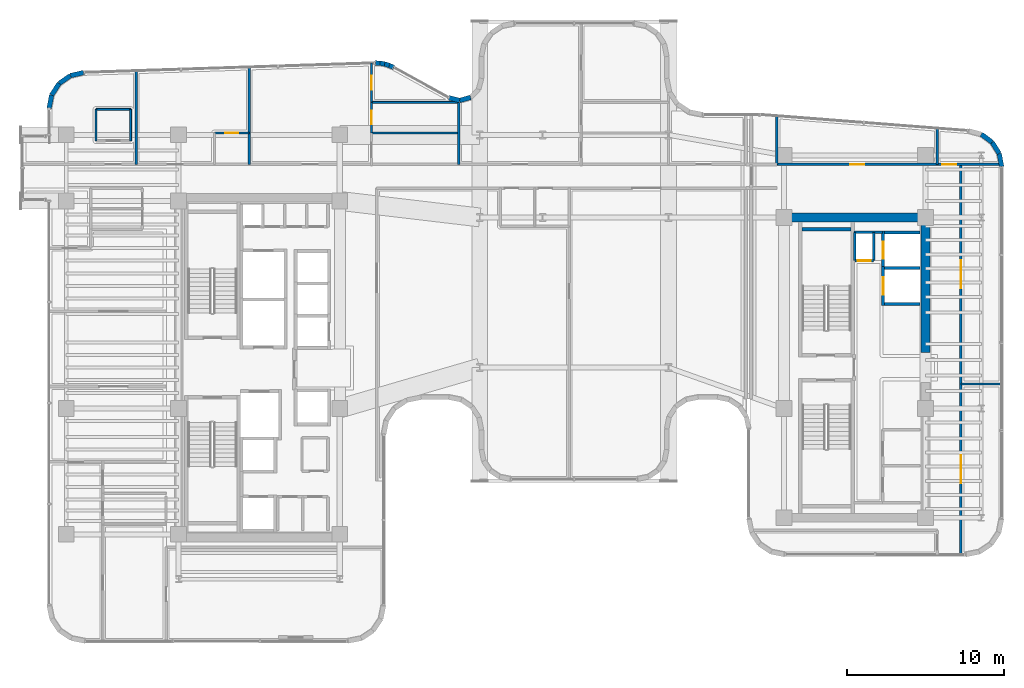
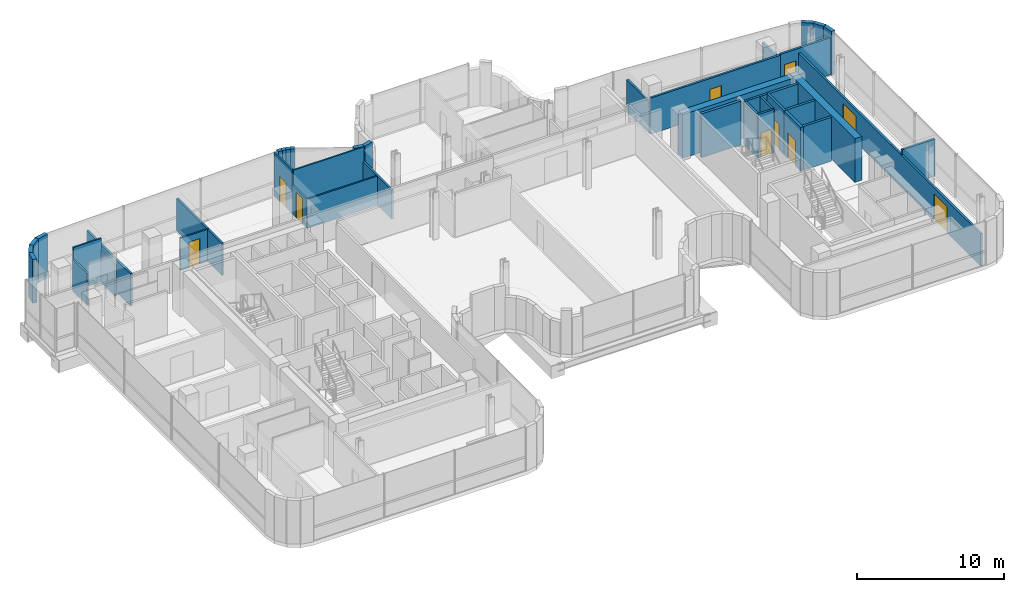
# One storey, part 31 of 39: 42 walls, 10 doors, 10 openings.
"""IFC4 building model written with IfcOpenShell, lengths in metres."""

from ifc_helpers import new_model, si_unit, direction, frame, frame_2d, origin, place, context, subcontext, project, spatial, rectangle, extrude, material, layer, layer_set, type_object, element, fill, save


model = new_model("IFC4")

# Units and contexts
model_context = context("Model", 3, precision=1e-05, world=origin(), true_north=direction((0.0, 1.0)))
body_context = subcontext(model_context, "Body", "Model", "MODEL_VIEW")
ifc_project = project(units=[si_unit("LENGTHUNIT", "METRE"), si_unit("AREAUNIT", "SQUARE_METRE"), si_unit("VOLUMEUNIT", "CUBIC_METRE"), si_unit("PLANEANGLEUNIT", "RADIAN"), si_unit("MASSUNIT", "GRAM", prefix="KILO")], contexts=[model_context])

# Site, building, storey
site_placement = place(None, origin())
site = spatial("IfcSite", under=ifc_project, at=site_placement, CompositionType="ELEMENT")
building_placement = place(site_placement, origin())
building = spatial("IfcBuilding", under=site, at=building_placement, Name="Valdorenza Pilgrim Sanctuary Tower", CompositionType="ELEMENT")
storey_placement = place(building_placement, frame((0.0, 0.0, 184.449951171875)))
storey = spatial("IfcBuildingStorey", under=building, at=storey_placement, Name="L47", CompositionType="ELEMENT", Elevation=184.449951171875)

# Wall, opening, door
ifc_material_1 = material(Name="Acoustic twin-stud gypsum partition", Category="gypsum")
ifc_layer_1 = layer(ifc_material_1, 0.159912109375, Name="Acoustic twin-stud gypsum partition")
ifc_layer_set_1 = layer_set([ifc_layer_1], Name="Acoustic twin-stud gypsum partition")
wall_type_1 = type_object("IfcWallType", Name="WAL-COR-160", PredefinedType="PARTITIONING", material=ifc_layer_set_1)
wall_1_placement = place(storey_placement, frame((20.35009765625, 6.800048828125, 0.0), z_axis=(0.0, 0.0, 1.0), x_axis=(1.0, 0.0, 0.0)))
wall_1 = element("IfcWall", 1, at=wall_1_placement, inside=storey, type_object=wall_type_1, Name="L47 Core B Riser South Wall", PredefinedType="PARTITIONING", context=body_context, shape_type="SweptSolid", body=[
    extrude(rectangle(XDim=1.199951171875, YDim=0.159912109375, at=frame_2d((0.60009765625, 0.0))), origin(), (0.0, 0.0, 1.0), 3.630126953125),
])
opening_1_placement = place(wall_1_placement, frame((0.175048828125, 0.0, 0.0)))
opening_1 = element("IfcOpeningElement", 2, at=opening_1_placement, cuts=wall_1, Name="Opening DR-RS1", PredefinedType="OPENING", context=body_context, shape_type="SweptSolid", body=[
    extrude(rectangle(XDim=0.85009765625, YDim=2.050048828125, at=frame_2d((0.425048828125, 1.02490234375))), frame((0.0, 0.0947265625, 0.0), z_axis=(0.0, -1.0, 0.0), x_axis=(1.0, 0.0, 0.0)), (0.0, 0.0, 1.0), 0.189697265625),
])
ifc_material_2 = material(Name="Painted galvanized steel", Category="steel")
door_type_1 = type_object("IfcDoorType", Name="DR-RSR-850", OperationType="NOTDEFINED", PredefinedType="DOOR", material=ifc_material_2)
door_1_placement = place(opening_1_placement, origin())
door_1 = element("IfcDoor", 3, at=door_1_placement, inside=storey, type_object=door_type_1, Name="L47 Core B Electrical Riser Door", OperationType="SINGLE_SWING_LEFT", OverallHeight=2.050048828125, OverallWidth=0.85009765625, PredefinedType="DOOR", context=body_context, shape_type="SweptSolid", body=[
    extrude(rectangle(XDim=0.85009765625, YDim=2.050048828125, at=frame_2d((0.425048828125, 1.02490234375))), frame((0.0, 0.02490234375, 0.0), z_axis=(0.0, -1.0, 0.0), x_axis=(1.0, 0.0, 0.0)), (0.0, 0.0, 1.0), 0.050048828125),
])
fill(opening_1, door_1)

# Walls
for number, where, z_axis, x_axis, name in (
    (4, (21.550048828125, 6.800048828125, 0.0), (0.0, 0.0, 1.0), (0.0, 1.0, 0.0), "L47 Core B Riser East Wall"),
    (5, (20.35009765625, 6.800048828125, 0.0), (0.0, 0.0, 1.0), (0.0, 1.0, 0.0), "L47 Core B Riser West Wall"),
):
    element("IfcWall", number, at=place(storey_placement, frame(where, z_axis=z_axis, x_axis=x_axis)), inside=storey, type_object=wall_type_1, Name=name, PredefinedType="PARTITIONING", context=body_context, shape_type="SweptSolid", body=[
        extrude(rectangle(XDim=1.800048828125, YDim=0.159912109375, at=frame_2d((0.89990234375, 0.0))), origin(), (0.0, 0.0, 1.0), 3.630126953125),
    ])
wall_2_placement = place(storey_placement, frame((20.300048828125, 8.60009765625, 0.0), z_axis=(0.0, 0.0, 1.0), x_axis=(1.0, 0.0, 0.0)))
element("IfcWall", 6, at=wall_2_placement, inside=storey, type_object=wall_type_1, Name="L47 Core B Lift Hall North End Wall", PredefinedType="PARTITIONING", context=body_context, shape_type="SweptSolid", body=[
    extrude(rectangle(XDim=1.820068359375, YDim=0.159912109375, at=frame_2d((0.91015625, 0.0))), origin(), (0.0, 0.0, 1.0), 3.630126953125),
])

# Wall, opening, door
wall_3_placement = place(storey_placement, frame((15.39990234375, 12.919921875, 0.0), z_axis=(0.0, 0.0, 1.0), x_axis=(1.0, 0.0, 0.0)))
wall_3 = element("IfcWall", 7, at=wall_3_placement, inside=storey, type_object=wall_type_1, Name="L47 Wing B North Corridor Wall", PredefinedType="PARTITIONING", context=body_context, shape_type="SweptSolid", body=[
    extrude(rectangle(XDim=10.2001953125, YDim=0.159912109375, at=frame_2d((5.10009765625, 0.0))), origin(), (0.0, 0.0, 1.0), 3.004150390625),
])
opening_2_placement = place(wall_3_placement, frame((4.64990234375, 0.0, 0.0)))
opening_2 = element("IfcOpeningElement", 8, at=opening_2_placement, cuts=wall_3, Name="Opening DR-RM1", PredefinedType="OPENING", context=body_context, shape_type="SweptSolid", body=[
    extrude(rectangle(XDim=0.89990234375, YDim=2.10009765625, at=frame_2d((0.449951171875, 1.050048828125))), frame((0.0, 0.0947265625, 0.0), z_axis=(0.0, -1.0, 0.0), x_axis=(1.0, 0.0, 0.0)), (0.0, 0.0, 1.0), 0.189697265625),
])
ifc_material_3 = material(Name="Solid-core European oak timber", Category="wood")
door_type_2 = type_object("IfcDoorType", Name="DR-ROOM-900", OperationType="NOTDEFINED", PredefinedType="DOOR", material=ifc_material_3)
door_2_placement = place(opening_2_placement, origin())
door_2 = element("IfcDoor", 9, at=door_2_placement, inside=storey, type_object=door_type_2, Name="L47 Curator Research Office L47-BN1 Door", OperationType="SINGLE_SWING_RIGHT", OverallHeight=2.10009765625, OverallWidth=0.89990234375, PredefinedType="DOOR", context=body_context, shape_type="SweptSolid", body=[
    extrude(rectangle(XDim=0.89990234375, YDim=2.10009765625, at=frame_2d((0.449951171875, 1.050048828125))), frame((0.0, 0.02490234375, 0.0), z_axis=(0.0, -1.0, 0.0), x_axis=(1.0, 0.0, 0.0)), (0.0, 0.0, 1.0), 0.050048828125),
])
fill(opening_2, door_2)

# Walls
wall_4_placement = place(storey_placement, frame((15.39990234375, 12.919921875, 0.0), z_axis=(0.0, 0.0, 1.0), x_axis=(0.0, 1.0, 0.0)))
element("IfcWall", 10, at=wall_4_placement, inside=storey, type_object=wall_type_1, Name="L47 Wing B North West Wall", PredefinedType="PARTITIONING", context=body_context, shape_type="SweptSolid", body=[
    extrude(rectangle(XDim=3.08447265625, YDim=0.159912109375, at=frame_2d((1.542236328125, 0.0))), origin(), (0.0, 0.0, 1.0), 2.6650390625),
])
wall_5_placement = place(storey_placement, frame((25.60009765625, 12.919921875, 0.0), z_axis=(0.0, 0.0, 1.0), x_axis=(0.0, 1.0, 0.0)))
element("IfcWall", 11, at=wall_5_placement, inside=storey, type_object=wall_type_1, Name="L47 Wing B North East Wall", PredefinedType="PARTITIONING", context=body_context, shape_type="SweptSolid", body=[
    extrude(rectangle(XDim=2.294921875, YDim=0.159912109375, at=frame_2d((1.1474609375, 0.0))), origin(), (0.0, 0.0, 1.0), 2.6650390625),
])

# Wall, openings, doors
wall_6_placement = place(storey_placement, frame((27.10009765625, -11.889892578125, 0.0), z_axis=(0.0, 0.0, 1.0), x_axis=(0.0, 1.0, 0.0)))
wall_6 = element("IfcWall", 12, at=wall_6_placement, inside=storey, type_object=wall_type_1, Name="L47 Wing B East Corridor Wall", PredefinedType="PARTITIONING", context=body_context, shape_type="SweptSolid", body=[
    extrude(rectangle(XDim=24.809814453125, YDim=0.159912109375, at=frame_2d((12.40478515625, 0.0))), origin(), (0.0, 0.0, 1.0), 2.6650390625),
])
opening_3_placement = place(wall_6_placement, frame((4.52490234375, 0.0, 0.0)))
opening_3 = element("IfcOpeningElement", 13, at=opening_3_placement, cuts=wall_6, Name="Opening DR-HL1", PredefinedType="OPENING", context=body_context, shape_type="SweptSolid", body=[
    extrude(rectangle(XDim=1.800048828125, YDim=2.14990234375, at=frame_2d((0.89990234375, 1.074951171875))), frame((0.0, 0.0947265625, 0.0), z_axis=(0.0, -1.0, 0.0), x_axis=(1.0, 0.0, 0.0)), (0.0, 0.0, 1.0), 0.189697265625),
])
opening_4_placement = place(wall_6_placement, frame((16.929931640625, 0.0, 0.0)))
opening_4 = element("IfcOpeningElement", 14, at=opening_4_placement, cuts=wall_6, Name="Opening DR-HL1", PredefinedType="OPENING", context=body_context, shape_type="SweptSolid", body=[
    extrude(rectangle(XDim=1.800048828125, YDim=2.14990234375, at=frame_2d((0.89990234375, 1.074951171875))), frame((0.0, 0.0947265625, 0.0), z_axis=(0.0, -1.0, 0.0), x_axis=(1.0, 0.0, 0.0)), (0.0, 0.0, 1.0), 0.189697265625),
])
ifc_material_4 = material(Name="Acoustic oak and vision-glass double door", Category="glass")
door_type_3 = type_object("IfcDoorType", Name="DR-HALL-1800", OperationType="NOTDEFINED", PredefinedType="DOOR", material=ifc_material_4)
door_3_placement = place(opening_3_placement, frame((1.800048828125, 0.0, 0.0), z_axis=(0.0, 0.0, 1.0), x_axis=(-1.0, 0.0, 0.0)))
door_3 = element("IfcDoor", 15, at=door_3_placement, inside=storey, type_object=door_type_3, Name="L47 East Reading Lounge L47-EB1 Door", OperationType="DOUBLE_DOOR_SINGLE_SWING", OverallHeight=2.14990234375, OverallWidth=1.800048828125, PredefinedType="DOOR", context=body_context, shape_type="SweptSolid", body=[
    extrude(rectangle(XDim=1.800048828125, YDim=2.14990234375, at=frame_2d((0.89990234375, 1.074951171875))), frame((0.0, 0.02490234375, 0.0), z_axis=(0.0, -1.0, 0.0), x_axis=(1.0, 0.0, 0.0)), (0.0, 0.0, 1.0), 0.050048828125),
])
fill(opening_3, door_3)
door_4_placement = place(opening_4_placement, origin())
door_4 = element("IfcDoor", 16, at=door_4_placement, inside=storey, type_object=door_type_3, Name="L47 East Reading Lounge L47-EB2 Door", OperationType="DOUBLE_DOOR_SINGLE_SWING", OverallHeight=2.14990234375, OverallWidth=1.800048828125, PredefinedType="DOOR", context=body_context, shape_type="SweptSolid", body=[
    extrude(rectangle(XDim=1.800048828125, YDim=2.14990234375, at=frame_2d((0.89990234375, 1.074951171875))), frame((0.0, 0.02490234375, 0.0), z_axis=(0.0, -1.0, 0.0), x_axis=(1.0, 0.0, 0.0)), (0.0, 0.0, 1.0), 0.050048828125),
])
fill(opening_4, door_4)

# Wall, opening, door
wall_7_placement = place(storey_placement, frame((25.60009765625, 12.919921875, 0.0), z_axis=(0.0, 0.0, 1.0), x_axis=(1.0, 0.0, 0.0)))
wall_7 = element("IfcWall", 17, at=wall_7_placement, inside=storey, type_object=wall_type_1, Name="L47 East Wing NE Corner South Wall", PredefinedType="PARTITIONING", context=body_context, shape_type="SweptSolid", body=[
    extrude(rectangle(XDim=3.93408203125, YDim=0.159912109375, at=frame_2d((1.967041015625, 0.0))), origin(), (0.0, 0.0, 1.0), 3.075927734375),
])
opening_5_placement = place(wall_7_placement, frame((0.300048828125, 0.0, 0.0)))
opening_5 = element("IfcOpeningElement", 18, at=opening_5_placement, cuts=wall_7, Name="Opening DR-RM1", PredefinedType="OPENING", context=body_context, shape_type="SweptSolid", body=[
    extrude(rectangle(XDim=0.89990234375, YDim=2.10009765625, at=frame_2d((0.449951171875, 1.050048828125))), frame((0.0, 0.0947265625, 0.0), z_axis=(0.0, -1.0, 0.0), x_axis=(1.0, 0.0, 0.0)), (0.0, 0.0, 1.0), 0.189697265625),
])
door_5_placement = place(opening_5_placement, origin())
door_5 = element("IfcDoor", 19, at=door_5_placement, inside=storey, type_object=door_type_2, Name="L47 East North Alcove Office L47 Door", OperationType="SINGLE_SWING_RIGHT", OverallHeight=2.10009765625, OverallWidth=0.89990234375, PredefinedType="DOOR", context=body_context, shape_type="SweptSolid", body=[
    extrude(rectangle(XDim=0.89990234375, YDim=2.10009765625, at=frame_2d((0.449951171875, 1.050048828125))), frame((0.0, 0.02490234375, 0.0), z_axis=(0.0, -1.0, 0.0), x_axis=(1.0, 0.0, 0.0)), (0.0, 0.0, 1.0), 0.050048828125),
])
fill(opening_5, door_5)

# Walls
ifc_material_5 = material(Name="Concrete C50/60", Category="concrete")
ifc_layer_2 = layer(ifc_material_5, 0.550048828125, Name="Concrete C50/60")
ifc_layer_set_2 = layer_set([ifc_layer_2], Name="Concrete C50/60")
wall_type_2 = type_object("IfcWallType", Name="WAL-COR-550", PredefinedType="SHEAR", material=ifc_layer_set_2)
wall_8_placement = place(storey_placement, frame((24.85009765625, 0.949951171875, 0.0), z_axis=(0.0, 0.0, 1.0), x_axis=(0.0, 1.0, 0.0)))
element("IfcWall", 20, at=wall_8_placement, inside=storey, type_object=wall_type_2, Name="L47 Split Core B Shear Wall EN", PredefinedType="SHEAR", context=body_context, shape_type="SweptSolid", body=[
    extrude(rectangle(XDim=8.875, YDim=0.550048828125, at=frame_2d((4.4375, 0.0))), origin(), (0.0, 0.0, 1.0), 3.630126953125),
])
wall_9_placement = place(storey_placement, frame((15.85009765625, 9.550048828125, 0.0), z_axis=(0.0, 0.0, 1.0), x_axis=(1.0, 0.0, 0.0)))
element("IfcWall", 21, at=wall_9_placement, inside=storey, type_object=wall_type_2, Name="L47 Split Core B Shear Wall N", PredefinedType="SHEAR", context=body_context, shape_type="SweptSolid", body=[
    extrude(rectangle(XDim=9.0, YDim=0.550048828125, at=frame_2d((4.5, 0.0))), origin(), (0.0, 0.0, 1.0), 3.630126953125),
])
ifc_material_6 = material(Name="Honed travertine limestone", Category="masonry")
ifc_layer_3 = layer(ifc_material_6, 0.300048828125, Name="Honed travertine limestone")
ifc_layer_set_3 = layer_set([ifc_layer_3], Name="Honed travertine limestone")
wall_type_3 = type_object("IfcWallType", Name="WAL-EXT-300", PredefinedType="SOLIDWALL", material=ifc_layer_set_3)
wall_10_placement = place(storey_placement, frame((-30.889892578125, 16.46630859375, 0.0), z_axis=(0.0, 0.0, 1.0), x_axis=(0.191128020887, 0.981565117367, 0.0)))
element("IfcWall", 22, at=wall_10_placement, inside=storey, type_object=wall_type_3, Name="L47 Rounded Wind-Corner Stone Pier 2", PredefinedType="SOLIDWALL", context=body_context, shape_type="SweptSolid", body=[
    extrude(rectangle(XDim=0.88525390625, YDim=0.300048828125, at=frame_2d((0.442626953125, 0.0))), origin(), (0.0, 0.0, 1.0), 3.630126953125),
])
wall_11_placement = place(storey_placement, frame((-30.720703125, 17.335205078125, 0.0), z_axis=(0.0, 0.0, 1.0), x_axis=(0.545322000684, 0.838226649284, 0.0)))
element("IfcWall", 23, at=wall_11_placement, inside=storey, type_object=wall_type_3, Name="L47 Rounded Wind-Corner Stone Pier 3", PredefinedType="SOLIDWALL", context=body_context, shape_type="SweptSolid", body=[
    extrude(rectangle(XDim=0.874267578125, YDim=0.300048828125, at=frame_2d((0.43701171875, 0.0))), origin(), (0.0, 0.0, 1.0), 3.630126953125),
])
wall_12_placement = place(storey_placement, frame((-30.243896484375, 18.068115234375, 0.0), z_axis=(0.0, 0.0, 1.0), x_axis=(0.820005059444, 0.572356272339, 0.0)))
element("IfcWall", 24, at=wall_12_placement, inside=storey, type_object=wall_type_3, Name="L47 Rounded Wind-Corner Stone Pier 4", PredefinedType="SOLIDWALL", context=body_context, shape_type="SweptSolid", body=[
    extrude(rectangle(XDim=0.87451171875, YDim=0.300048828125, at=frame_2d((0.437255859375, 0.0))), origin(), (0.0, 0.0, 1.0), 3.630126953125),
])
wall_13_placement = place(storey_placement, frame((-29.52685546875, 18.568603515625, 0.0), z_axis=(0.0, 0.0, 1.0), x_axis=(0.974798570829, 0.223086858218, 0.0)))
element("IfcWall", 25, at=wall_13_placement, inside=storey, type_object=wall_type_3, Name="L47 Rounded Wind-Corner Stone Pier 5", PredefinedType="SOLIDWALL", context=body_context, shape_type="SweptSolid", body=[
    extrude(rectangle(XDim=0.88525390625, YDim=0.300048828125, at=frame_2d((0.442626953125, 0.0))), origin(), (0.0, 0.0, 1.0), 3.630126953125),
])
wall_14_placement = place(storey_placement, frame((-10.157958984375, 19.368408203125, 0.0), z_axis=(0.0, 0.0, 1.0), x_axis=(0.999425494718, -0.03389218949, 0.0)))
element("IfcWall", 26, at=wall_14_placement, inside=storey, type_object=wall_type_3, Name="L47 Rounded Wind-Corner Stone Pier 7", PredefinedType="SOLIDWALL", context=body_context, shape_type="SweptSolid", body=[
    extrude(rectangle(XDim=0.309814453125, YDim=0.300048828125, at=frame_2d((0.15478515625, 0.0))), origin(), (0.0, 0.0, 1.0), 3.630126953125),
])
for number, where, z_axis, x_axis, name in (
    (27, (-9.848388671875, 19.35791015625, 0.0), (0.0, 0.0, 1.0), (0.985894009724, -0.167370850479, 0.0), "L47 Rounded Wind-Corner Stone Pier 8"),
    (28, (-9.54638671875, 19.306640625, 0.0), (0.0, 0.0, 1.0), (0.95479144403, -0.297276467966, 0.0), "L47 Rounded Wind-Corner Stone Pier 9"),
):
    element("IfcWall", number, at=place(storey_placement, frame(where, z_axis=z_axis, x_axis=x_axis)), inside=storey, type_object=wall_type_3, Name=name, PredefinedType="SOLIDWALL", context=body_context, shape_type="SweptSolid", body=[
        extrude(rectangle(XDim=0.306396484375, YDim=0.300048828125, at=frame_2d((0.1533203125, 0.0))), origin(), (0.0, 0.0, 1.0), 3.630126953125),
    ])
wall_15_placement = place(storey_placement, frame((-9.25390625, 19.215576171875, 0.0), z_axis=(0.0, 0.0, 1.0), x_axis=(0.906524902388, -0.42215234377, 0.0)))
element("IfcWall", 29, at=wall_15_placement, inside=storey, type_object=wall_type_3, Name="L47 Rounded Wind-Corner Stone Pier 10", PredefinedType="SOLIDWALL", context=body_context, shape_type="SweptSolid", body=[
    extrude(rectangle(XDim=0.31005859375, YDim=0.300048828125, at=frame_2d((0.155029296875, 0.0))), origin(), (0.0, 0.0, 1.0), 3.630126953125),
])
wall_16_placement = place(storey_placement, frame((-5.4716796875, 17.15869140625, 0.0), z_axis=(0.0, 0.0, 1.0), x_axis=(0.970564820059, -0.240840050789, 0.0)))
element("IfcWall", 30, at=wall_16_placement, inside=storey, type_object=wall_type_3, Name="L47 Rounded Wind-Corner Stone Pier 12", PredefinedType="SOLIDWALL", context=body_context, shape_type="SweptSolid", body=[
    extrude(rectangle(XDim=0.711669921875, YDim=0.300048828125, at=frame_2d((0.35595703125, 0.0))), origin(), (0.0, 0.0, 1.0), 3.630126953125),
])
wall_17_placement = place(storey_placement, frame((-4.781005859375, 16.9873046875, 0.0), z_axis=(0.0, 0.0, 1.0), x_axis=(0.962494705656, 0.271300463662, 0.0)))
element("IfcWall", 31, at=wall_17_placement, inside=storey, type_object=wall_type_3, Name="L47 Rounded Wind-Corner Stone Pier 13", PredefinedType="SOLIDWALL", context=body_context, shape_type="SweptSolid", body=[
    extrude(rectangle(XDim=0.726318359375, YDim=0.300048828125, at=frame_2d((0.36328125, 0.0))), origin(), (0.0, 0.0, 1.0), 3.630126953125),
])
wall_18_placement = place(storey_placement, frame((28.396484375, 14.838134765625, 0.0), z_axis=(0.0, 0.0, 1.0), x_axis=(0.803847397988, -0.594835574548, 0.0)))
element("IfcWall", 32, at=wall_18_placement, inside=storey, type_object=wall_type_3, Name="L47 Rounded Wind-Corner Stone Pier 34", PredefinedType="SOLIDWALL", context=body_context, shape_type="SweptSolid", body=[
    extrude(rectangle(XDim=0.84912109375, YDim=0.300048828125, at=frame_2d((0.424560546875, 0.0))), origin(), (0.0, 0.0, 1.0), 3.630126953125),
])
wall_19_placement = place(storey_placement, frame((29.0791015625, 14.3330078125, 0.0), z_axis=(0.0, 0.0, 1.0), x_axis=(0.53134147342, -0.847157741288, 0.0)))
element("IfcWall", 33, at=wall_19_placement, inside=storey, type_object=wall_type_3, Name="L47 Rounded Wind-Corner Stone Pier 35", PredefinedType="SOLIDWALL", context=body_context, shape_type="SweptSolid", body=[
    extrude(rectangle(XDim=0.849609375, YDim=0.300048828125, at=frame_2d((0.4248046875, 0.0))), origin(), (0.0, 0.0, 1.0), 3.630126953125),
])
wall_20_placement = place(storey_placement, frame((29.530517578125, 13.61328125, 0.0), z_axis=(0.0, 0.0, 1.0), x_axis=(0.185402686284, -0.982662629756, 0.0)))
element("IfcWall", 34, at=wall_20_placement, inside=storey, type_object=wall_type_3, Name="L47 Rounded Wind-Corner Stone Pier 36", PredefinedType="SOLIDWALL", context=body_context, shape_type="SweptSolid", body=[
    extrude(rectangle(XDim=0.85986328125, YDim=0.300048828125, at=frame_2d((0.429931640625, 0.0))), origin(), (0.0, 0.0, 1.0), 3.630126953125),
])
ifc_material_7 = material(Name="Moisture-resistant gypsum partition", Category="gypsum")
ifc_layer_4 = layer(ifc_material_7, 0.1201171875, Name="Moisture-resistant gypsum partition")
ifc_layer_set_4 = layer_set([ifc_layer_4], Name="Moisture-resistant gypsum partition")
wall_type_4 = type_object("IfcWallType", Name="WAL-INT-120", PredefinedType="PARTITIONING", material=ifc_layer_set_4)
for number, where, z_axis, x_axis, name in (
    (35, (-27.901611328125, 14.419921875, 0.0), (0.0, 0.0, 1.0), (0.0, 1.0, 0.0), "L47 North Family Guest Room L47-N1A En-suite West Wall"),
    (36, (-25.70166015625, 14.419921875, 0.0), (0.0, 0.0, 1.0), (0.0, 1.0, 0.0), "L47 North Family Guest Room L47-N1A En-suite East Wall"),
):
    element("IfcWall", number, at=place(storey_placement, frame(where, z_axis=z_axis, x_axis=x_axis)), inside=storey, type_object=wall_type_4, Name=name, PredefinedType="PARTITIONING", context=body_context, shape_type="SweptSolid", body=[
        extrude(rectangle(XDim=2.0, YDim=0.1201171875, at=frame_2d((1.0, 0.0))), origin(), (0.0, 0.0, 1.0), 2.6650390625),
    ])
wall_21_placement = place(storey_placement, frame((-27.901611328125, 16.419921875, 0.0), z_axis=(0.0, 0.0, 1.0), x_axis=(1.0, 0.0, 0.0)))
element("IfcWall", 37, at=wall_21_placement, inside=storey, type_object=wall_type_4, Name="L47 North Family Guest Room L47-N1A En-suite Back Wall", PredefinedType="PARTITIONING", context=body_context, shape_type="SweptSolid", body=[
    extrude(rectangle(XDim=2.199951171875, YDim=0.1201171875, at=frame_2d((1.10009765625, 0.0))), origin(), (0.0, 0.0, 1.0), 3.630126953125),
])

# Wall, opening, door
wall_22_placement = place(storey_placement, frame((-20.366943359375, 14.919921875, 0.0), z_axis=(0.0, 0.0, 1.0), x_axis=(1.0, 0.0, 0.0)))
wall_22 = element("IfcWall", 38, at=wall_22_placement, inside=storey, type_object=wall_type_4, Name="L47 North Family Guest Room L47-N1B En-suite Door Wall", PredefinedType="PARTITIONING", context=body_context, shape_type="SweptSolid", body=[
    extrude(rectangle(XDim=2.199951171875, YDim=0.1201171875, at=frame_2d((1.10009765625, 0.0))), origin(), (0.0, 0.0, 1.0), 2.6650390625),
])
opening_6_placement = place(wall_22_placement, frame((0.675048828125, 0.0, 0.0)))
opening_6 = element("IfcOpeningElement", 39, at=opening_6_placement, cuts=wall_22, Name="Opening DR-WC1", PredefinedType="OPENING", context=body_context, shape_type="SweptSolid", body=[
    extrude(rectangle(XDim=0.85009765625, YDim=2.10009765625, at=frame_2d((0.425048828125, 1.050048828125))), frame((0.0, 0.074951171875, 0.0), z_axis=(0.0, -1.0, 0.0), x_axis=(1.0, 0.0, 0.0)), (0.0, 0.0, 1.0), 0.14990234375),
])
ifc_material_8 = material(Name="Moisture-resistant lacquered timber", Category="wood")
door_type_4 = type_object("IfcDoorType", Name="DR-BATH-850", OperationType="NOTDEFINED", PredefinedType="DOOR", material=ifc_material_8)
door_6_placement = place(opening_6_placement, origin())
door_6 = element("IfcDoor", 40, at=door_6_placement, inside=storey, type_object=door_type_4, Name="L47 North Family Guest Room L47-N1B En-suite Bathroom Door", OperationType="SINGLE_SWING_LEFT", OverallHeight=2.10009765625, OverallWidth=0.85009765625, PredefinedType="DOOR", context=body_context, shape_type="SweptSolid", body=[
    extrude(rectangle(XDim=0.85009765625, YDim=2.10009765625, at=frame_2d((0.425048828125, 1.050048828125))), frame((0.0, 0.02490234375, 0.0), z_axis=(0.0, -1.0, 0.0), x_axis=(1.0, 0.0, 0.0)), (0.0, 0.0, 1.0), 0.050048828125),
])
fill(opening_6, door_6)

# Walls
wall_23_placement = place(storey_placement, frame((-10.38330078125, 14.919921875, 0.0), z_axis=(0.0, 0.0, 1.0), x_axis=(1.0, 0.0, 0.0)))
element("IfcWall", 41, at=wall_23_placement, inside=storey, type_object=wall_type_4, Name="L47 North Family Flat L47-N2 Bath-Kitchen Wall", PredefinedType="PARTITIONING", context=body_context, shape_type="SweptSolid", body=[
    extrude(rectangle(XDim=5.55029296875, YDim=0.1201171875, at=frame_2d((2.775146484375, 0.0))), origin(), (0.0, 0.0, 1.0), 2.4150390625),
])
wall_24_placement = place(storey_placement, frame((-10.38330078125, 16.8701171875, 0.0), z_axis=(0.0, 0.0, 1.0), x_axis=(1.0, 0.0, 0.0)))
element("IfcWall", 42, at=wall_24_placement, inside=storey, type_object=wall_type_4, Name="L47 North Family Flat L47-N2 Kitchen-Bedroom Wall", PredefinedType="PARTITIONING", context=body_context, shape_type="SweptSolid", body=[
    extrude(rectangle(XDim=5.55029296875, YDim=0.1201171875, at=frame_2d((2.775146484375, 0.0))), origin(), (0.0, 0.0, 1.0), 3.630126953125),
])

# Wall, opening, door
wall_25_placement = place(storey_placement, frame((-10.38330078125, 14.919921875, 0.0), z_axis=(0.0, 0.0, 1.0), x_axis=(0.0, 1.0, 0.0)))
wall_25 = element("IfcWall", 43, at=wall_25_placement, inside=storey, type_object=wall_type_4, Name="L47 North Family Flat L47-N2 Bathroom Door Wall", PredefinedType="PARTITIONING", context=body_context, shape_type="SweptSolid", body=[
    extrude(rectangle(XDim=1.9501953125, YDim=0.1201171875, at=frame_2d((0.97509765625, 0.0))), origin(), (0.0, 0.0, 1.0), 2.4150390625),
])
opening_7_placement = place(wall_25_placement, frame((0.550048828125, 0.0, 0.0)))
opening_7 = element("IfcOpeningElement", 44, at=opening_7_placement, cuts=wall_25, Name="Opening DR-WC1", PredefinedType="OPENING", context=body_context, shape_type="SweptSolid", body=[
    extrude(rectangle(XDim=0.85009765625, YDim=2.10009765625, at=frame_2d((0.425048828125, 1.050048828125))), frame((0.0, 0.074951171875, 0.0), z_axis=(0.0, -1.0, 0.0), x_axis=(1.0, 0.0, 0.0)), (0.0, 0.0, 1.0), 0.14990234375),
])
door_7_placement = place(opening_7_placement, origin())
door_7 = element("IfcDoor", 45, at=door_7_placement, inside=storey, type_object=door_type_4, Name="L47 North Family Flat L47-N2 Bathroom Door", OperationType="SINGLE_SWING_LEFT", OverallHeight=2.10009765625, OverallWidth=0.85009765625, PredefinedType="DOOR", context=body_context, shape_type="SweptSolid", body=[
    extrude(rectangle(XDim=0.85009765625, YDim=2.10009765625, at=frame_2d((0.425048828125, 1.050048828125))), frame((0.0, 0.02490234375, 0.0), z_axis=(0.0, -1.0, 0.0), x_axis=(1.0, 0.0, 0.0)), (0.0, 0.0, 1.0), 0.050048828125),
])
fill(opening_7, door_7)

wall_26_placement = place(storey_placement, frame((-10.38330078125, 16.8701171875, 0.0), z_axis=(0.0, 0.0, 1.0), x_axis=(0.0, 1.0, 0.0)))
wall_26 = element("IfcWall", 46, at=wall_26_placement, inside=storey, type_object=wall_type_4, Name="L47 North Family Flat L47-N2 Bedroom Door Wall", PredefinedType="PARTITIONING", context=body_context, shape_type="SweptSolid", body=[
    extrude(rectangle(XDim=2.490966796875, YDim=0.1201171875, at=frame_2d((1.24560546875, 0.0))), origin(), (0.0, 0.0, 1.0), 3.630126953125),
])
opening_8_placement = place(wall_26_placement, frame((0.7958984375, 0.0, 0.0)))
opening_8 = element("IfcOpeningElement", 47, at=opening_8_placement, cuts=wall_26, Name="Opening DR-RM1", PredefinedType="OPENING", context=body_context, shape_type="SweptSolid", body=[
    extrude(rectangle(XDim=0.89990234375, YDim=2.10009765625, at=frame_2d((0.449951171875, 1.050048828125))), frame((0.0, 0.074951171875, 0.0), z_axis=(0.0, -1.0, 0.0), x_axis=(1.0, 0.0, 0.0)), (0.0, 0.0, 1.0), 0.14990234375),
])
door_8_placement = place(opening_8_placement, frame((0.89990234375, 0.0, 0.0), z_axis=(0.0, 0.0, 1.0), x_axis=(-1.0, 0.0, 0.0)))
door_8 = element("IfcDoor", 48, at=door_8_placement, inside=storey, type_object=door_type_2, Name="L47 North Family Flat L47-N2 Bedroom Door", OperationType="SINGLE_SWING_LEFT", OverallHeight=2.10009765625, OverallWidth=0.89990234375, PredefinedType="DOOR", context=body_context, shape_type="SweptSolid", body=[
    extrude(rectangle(XDim=0.89990234375, YDim=2.10009765625, at=frame_2d((0.449951171875, 1.050048828125))), frame((0.0, 0.02490234375, 0.0), z_axis=(0.0, -1.0, 0.0), x_axis=(1.0, 0.0, 0.0)), (0.0, 0.0, 1.0), 0.050048828125),
])
fill(opening_8, door_8)

ifc_material_9 = material(Name="Autoclaved aerated concrete blockwork", Category="masonry")
ifc_layer_5 = layer(ifc_material_9, 0.199951171875, Name="Autoclaved aerated concrete blockwork")
ifc_layer_set_5 = layer_set([ifc_layer_5], Name="Autoclaved aerated concrete blockwork")
wall_type_5 = type_object("IfcWallType", Name="WAL-SHF-200", PredefinedType="MOVABLE", material=ifc_layer_set_5)
wall_27_placement = place(storey_placement, frame((22.14990234375, 3.949951171875, 0.0), z_axis=(0.0, 0.0, 1.0), x_axis=(0.0, 1.0, 0.0)))
wall_27 = element("IfcWall", 49, at=wall_27_placement, inside=storey, type_object=wall_type_5, Name="L47 Lift PL-07 Hoistway Wall West", PredefinedType="MOVABLE", context=body_context, shape_type="SweptSolid", body=[
    extrude(rectangle(XDim=2.47509765625, YDim=0.199951171875, at=frame_2d((1.237548828125, 0.0))), origin(), (0.0, 0.0, 1.0), 3.630126953125),
])
opening_9_placement = place(wall_27_placement, frame((0.6875, 0.0, 0.0)))
opening_9 = element("IfcOpeningElement", 50, at=opening_9_placement, cuts=wall_27, Name="Opening LD-01", PredefinedType="OPENING", context=body_context, shape_type="SweptSolid", body=[
    extrude(rectangle(XDim=1.10009765625, YDim=2.10009765625, at=frame_2d((0.550048828125, 1.050048828125))), frame((0.0, 0.11474609375, 0.0), z_axis=(0.0, -1.0, 0.0), x_axis=(1.0, 0.0, 0.0)), (0.0, 0.0, 1.0), 0.229736328125),
])
ifc_material_10 = material(Name="Brushed stainless steel Grade 316", Category="steel")
door_type_5 = type_object("IfcDoorType", Name="DR-LFT-1100", OperationType="DOUBLE_DOOR_SLIDING", PredefinedType="DOOR", material=ifc_material_10)
door_9_placement = place(opening_9_placement, origin())
door_9 = element("IfcDoor", 51, at=door_9_placement, inside=storey, type_object=door_type_5, Name="L47 Lift PL-07 Sliding Landing Door", OperationType="DOUBLE_DOOR_SLIDING", OverallHeight=2.10009765625, OverallWidth=1.10009765625, PredefinedType="DOOR", context=body_context, shape_type="SweptSolid", body=[
    extrude(rectangle(XDim=1.10009765625, YDim=2.10009765625, at=frame_2d((0.550048828125, 1.050048828125))), frame((0.0, 0.02490234375, 0.0), z_axis=(0.0, -1.0, 0.0), x_axis=(1.0, 0.0, 0.0)), (0.0, 0.0, 1.0), 0.050048828125),
])
fill(opening_9, door_9)

# Walls
for number, where, z_axis, x_axis, name in (
    (52, (22.25, 4.050048828125, 0.0), (0.0, 0.0, 1.0), (1.0, 0.0, 0.0), "L47 Lift PL-07 Hoistway Wall South"),
    (53, (22.25, 6.324951171875, 0.0), (0.0, 0.0, 1.0), (1.0, 0.0, 0.0), "L47 Lift PL-07 Hoistway Wall North"),
):
    element("IfcWall", number, at=place(storey_placement, frame(where, z_axis=z_axis, x_axis=x_axis)), inside=storey, type_object=wall_type_5, Name=name, PredefinedType="MOVABLE", context=body_context, shape_type="SweptSolid", body=[
        extrude(rectangle(XDim=2.22998046875, YDim=0.199951171875, at=frame_2d((1.114990234375, 0.0))), origin(), (0.0, 0.0, 1.0), 3.630126953125),
    ])

# Wall, opening, door
wall_28_placement = place(storey_placement, frame((22.14990234375, 6.22509765625, 0.0), z_axis=(0.0, 0.0, 1.0), x_axis=(0.0, 1.0, 0.0)))
wall_28 = element("IfcWall", 54, at=wall_28_placement, inside=storey, type_object=wall_type_5, Name="L47 Lift PL-08 Hoistway Wall West", PredefinedType="MOVABLE", context=body_context, shape_type="SweptSolid", body=[
    extrude(rectangle(XDim=2.474853515625, YDim=0.199951171875, at=frame_2d((1.2373046875, 0.0))), origin(), (0.0, 0.0, 1.0), 3.630126953125),
])
opening_10_placement = place(wall_28_placement, frame((0.6875, 0.0, 0.0)))
opening_10 = element("IfcOpeningElement", 55, at=opening_10_placement, cuts=wall_28, Name="Opening LD-01", PredefinedType="OPENING", context=body_context, shape_type="SweptSolid", body=[
    extrude(rectangle(XDim=1.10009765625, YDim=2.10009765625, at=frame_2d((0.550048828125, 1.050048828125))), frame((0.0, 0.11474609375, 0.0), z_axis=(0.0, -1.0, 0.0), x_axis=(1.0, 0.0, 0.0)), (0.0, 0.0, 1.0), 0.229736328125),
])
door_10_placement = place(opening_10_placement, origin())
door_10 = element("IfcDoor", 56, at=door_10_placement, inside=storey, type_object=door_type_5, Name="L47 Lift PL-08 Sliding Landing Door", OperationType="DOUBLE_DOOR_SLIDING", OverallHeight=2.10009765625, OverallWidth=1.10009765625, PredefinedType="DOOR", context=body_context, shape_type="SweptSolid", body=[
    extrude(rectangle(XDim=1.10009765625, YDim=2.10009765625, at=frame_2d((0.550048828125, 1.050048828125))), frame((0.0, 0.02490234375, 0.0), z_axis=(0.0, -1.0, 0.0), x_axis=(1.0, 0.0, 0.0)), (0.0, 0.0, 1.0), 0.050048828125),
])
fill(opening_10, door_10)

# Walls
wall_29_placement = place(storey_placement, frame((22.25, 8.60009765625, 0.0), z_axis=(0.0, 0.0, 1.0), x_axis=(1.0, 0.0, 0.0)))
element("IfcWall", 57, at=wall_29_placement, inside=storey, type_object=wall_type_5, Name="L47 Lift PL-08 Hoistway Wall North", PredefinedType="MOVABLE", context=body_context, shape_type="SweptSolid", body=[
    extrude(rectangle(XDim=2.22998046875, YDim=0.199951171875, at=frame_2d((1.114990234375, 0.0))), origin(), (0.0, 0.0, 1.0), 3.630126953125),
])
ifc_material_11 = material(Name="Concrete C40/50", Category="concrete")
ifc_layer_6 = layer(ifc_material_11, 0.219970703125, Name="Concrete C40/50")
ifc_layer_set_6 = layer_set([ifc_layer_6], Name="Concrete C40/50")
wall_type_6 = type_object("IfcWallType", Name="WAL-STR-SHF-220", PredefinedType="SHEAR", material=ifc_layer_set_6)
wall_30_placement = place(storey_placement, frame((17.0, 8.81005859375, 0.0), z_axis=(0.0, 0.0, 1.0), x_axis=(1.0, 0.0, 0.0)))
element("IfcWall", 58, at=wall_30_placement, inside=storey, type_object=wall_type_6, Name="L47 ST-B1 Structural Stairwell Wall N", PredefinedType="SHEAR", context=body_context, shape_type="SweptSolid", body=[
    extrude(rectangle(XDim=3.110107421875, YDim=0.219970703125, at=frame_2d((1.55517578125, 0.0))), origin(), (0.0, 0.0, 1.0), 3.630126953125),
])
ifc_layer_7 = layer(ifc_material_1, 0.14990234375, Name="Acoustic twin-stud gypsum partition")
ifc_layer_set_7 = layer_set([ifc_layer_7], Name="Acoustic twin-stud gypsum partition")
wall_type_7 = type_object("IfcWallType", Name="WAL-UNT-150", PredefinedType="PARTITIONING", material=ifc_layer_set_7)
wall_31_placement = place(storey_placement, frame((-18.1669921875, 12.919921875, 0.0), z_axis=(0.0, 0.0, 1.0), x_axis=(0.0, 1.0, 0.0)))
element("IfcWall", 59, at=wall_31_placement, inside=storey, type_object=wall_type_7, Name="L47 North Flat Demising 1", PredefinedType="PARTITIONING", context=body_context, shape_type="SweptSolid", body=[
    extrude(rectangle(XDim=6.18798828125, YDim=0.14990234375, at=frame_2d((3.093994140625, 0.0))), origin(), (0.0, 0.0, 1.0), 2.6650390625),
])
wall_32_placement = place(storey_placement, frame((-4.8330078125, 12.919921875, 0.0), z_axis=(0.0, 0.0, 1.0), x_axis=(0.0, 1.0, 0.0)))
element("IfcWall", 60, at=wall_32_placement, inside=storey, type_object=wall_type_7, Name="L47 North Flat Demising 2", PredefinedType="PARTITIONING", context=body_context, shape_type="SweptSolid", body=[
    extrude(rectangle(XDim=3.951416015625, YDim=0.14990234375, at=frame_2d((1.9755859375, 0.0))), origin(), (0.0, 0.0, 1.0), 2.4150390625),
])
wall_33_placement = place(storey_placement, frame((-25.353515625, 12.919921875, 0.0), z_axis=(0.0, 0.0, 1.0), x_axis=(0.0, 1.0, 0.0)))
element("IfcWall", 61, at=wall_33_placement, inside=storey, type_object=wall_type_7, Name="L47 North Family Guest Room L47-N1 Split Wall", PredefinedType="PARTITIONING", context=body_context, shape_type="SweptSolid", body=[
    extrude(rectangle(XDim=5.953857421875, YDim=0.14990234375, at=frame_2d((2.97705078125, 0.0))), origin(), (0.0, 0.0, 1.0), 2.6650390625),
])
wall_34_placement = place(storey_placement, frame((27.10009765625, -1.0400390625, 0.0), z_axis=(0.0, 0.0, 1.0), x_axis=(1.0, 0.0, 0.0)))
element("IfcWall", 62, at=wall_34_placement, inside=storey, type_object=wall_type_7, Name="L47 East Reading Lounge L47-EB2 Demising Wall", PredefinedType="PARTITIONING", context=body_context, shape_type="SweptSolid", body=[
    extrude(rectangle(XDim=2.58984375, YDim=0.14990234375, at=frame_2d((1.294921875, 0.0))), origin(), (0.0, 0.0, 1.0), 3.075927734375),
])

save(model, "model.ifc")
